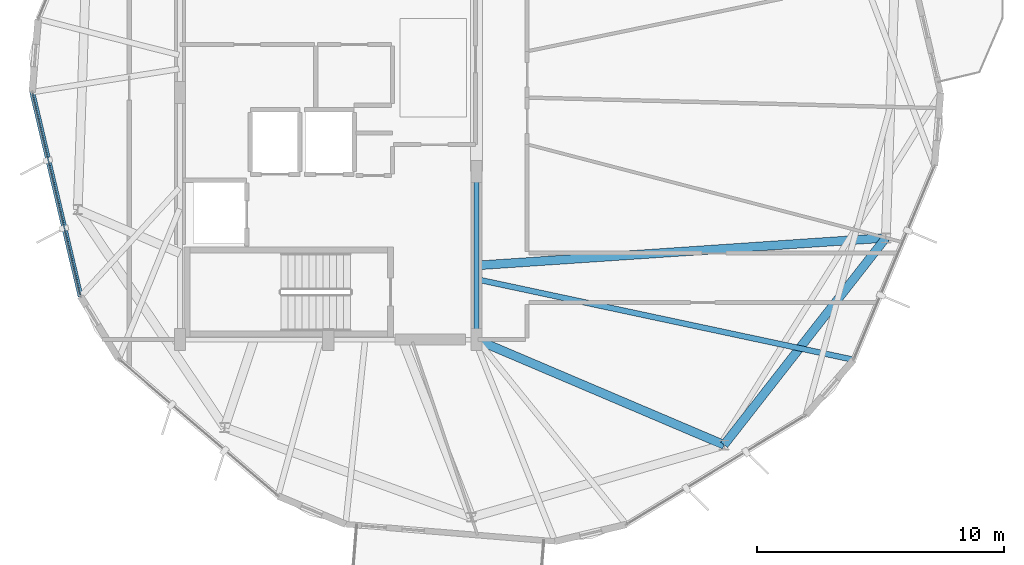
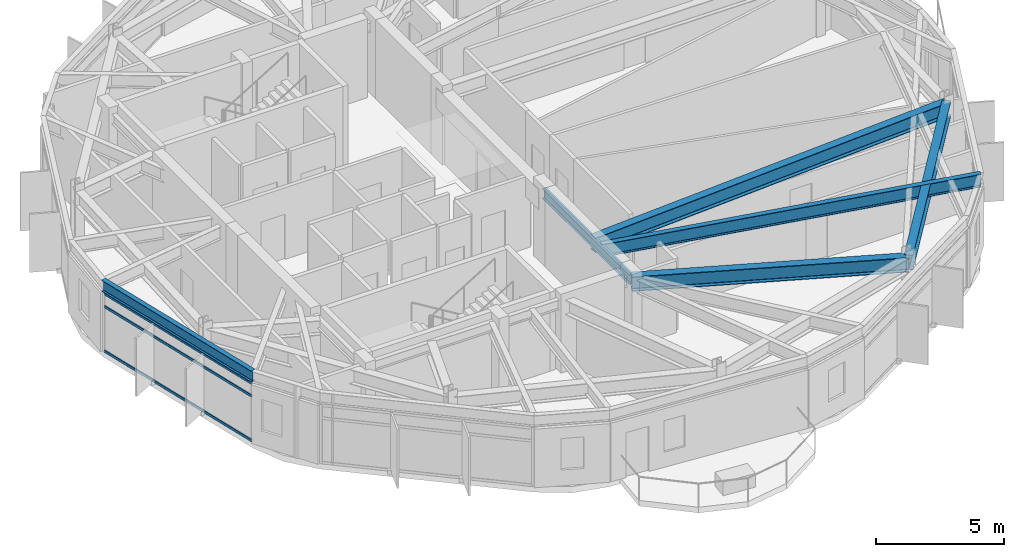
# One storey, part 6 of 23: 6 beams, 3 members, 1 element without a shape of its own.
"""IFC4 building model written with IfcOpenShell, lengths in metres."""

from ifc_helpers import new_model, si_unit, direction, frame, origin, origin_2d, place, context, subcontext, project, spatial, hollow_rectangle, i_section, extrude, material, layer, layer_set, material_profile, profile_set, type_object, element, aggregate, save


model = new_model("IFC4")

# Units and contexts
model_context = context("Model", 3, precision=1e-05, world=origin(), true_north=direction((0.0, 1.0)))
body_context = subcontext(model_context, "Body", "Model", "MODEL_VIEW")
ifc_project = project(units=[si_unit("LENGTHUNIT", "METRE"), si_unit("AREAUNIT", "SQUARE_METRE"), si_unit("VOLUMEUNIT", "CUBIC_METRE"), si_unit("PLANEANGLEUNIT", "RADIAN"), si_unit("MASSUNIT", "GRAM", prefix="KILO")], contexts=[model_context])

# Site, building, storey
site_placement = place(None, origin())
site = spatial("IfcSite", under=ifc_project, at=site_placement, CompositionType="ELEMENT")
building_placement = place(site_placement, origin())
building = spatial("IfcBuilding", under=site, at=building_placement, Name="Soratama Intermodal Tower", CompositionType="ELEMENT")
storey_placement = place(building_placement, frame((0.0, 0.0, 280.0)))
storey = spatial("IfcBuildingStorey", under=building, at=storey_placement, Name="L71", CompositionType="ELEMENT", Elevation=280.0)

# Beams
ifc_material_1 = material(Name="Structural steel ASTM A992 Grade 50", Category="steel")
ifc_material_profile_1 = material_profile(ifc_material_1, i_section(OverallWidth=0.19091796875, OverallDepth=0.4599609375, WebThickness=0.010009765625, FlangeThickness=0.01611328125, FilletRadius=0.010986328125, at=origin_2d()), Name="W18X55")
ifc_profile_set_1 = profile_set([ifc_material_profile_1], Name="Structural steel ASTM A992 Grade 50")
beam_type_1 = type_object("IfcBeamType", Name="BM-FLR-W18X55", PredefinedType="BEAM", material=ifc_profile_set_1)
beam_1_placement = place(storey_placement, frame((44.60009765625, 15.0, 3.179931640625), z_axis=(0.0, 1.0, 0.0), x_axis=(-1.0, 0.0, 0.0)))
element("IfcBeam", 1, at=beam_1_placement, inside=storey, type_object=beam_type_1, Name="BM-L71-CRING-03", PredefinedType="BEAM", context=body_context, shape_type="SweptSolid", body=[
    extrude(i_section(OverallWidth=0.19091796875, OverallDepth=0.4599609375, WebThickness=0.010009765625, FlangeThickness=0.01611328125, FilletRadius=0.010986328125, at=origin_2d()), origin(), (0.0, 0.0, 1.0), 6.800048828125),
])
ifc_material_2 = material(Name="Structural steel ASTM A992 Grade 50", Category="steel")
ifc_material_profile_2 = material_profile(ifc_material_2, i_section(OverallWidth=0.35498046875, OverallDepth=0.695068359375, WebThickness=0.015380859375, FlangeThickness=0.02490234375, FilletRadius=0.01611328125, at=origin_2d()), Name="W27X146")
ifc_profile_set_2 = profile_set([ifc_material_profile_2], Name="Structural steel ASTM A992 Grade 50")
beam_type_2 = type_object("IfcBeamType", Name="BM-RING-W27X146", PredefinedType="BEAM", material=ifc_profile_set_2)
beam_2_placement = place(storey_placement, frame((54.617919921875, 10.740966796875, 3.0625), z_axis=(0.6157278291, 0.787958907858, 0.0), x_axis=(-0.787958907858, 0.6157278291, 0.0)))
element("IfcBeam", 2, at=beam_2_placement, inside=storey, type_object=beam_type_2, Name="BM-L71-RING-09", PredefinedType="BEAM", context=body_context, shape_type="SweptSolid", body=[
    extrude(i_section(OverallWidth=0.35498046875, OverallDepth=0.695068359375, WebThickness=0.015380859375, FlangeThickness=0.02490234375, FilletRadius=0.01611328125, at=origin_2d()), origin(), (0.0, 0.0, 1.0), 10.6298828125),
])
beam_3_placement = place(storey_placement, frame((44.60009765625, 15.0, 3.0625), z_axis=(0.920282671955, -0.391254142087, 0.0), x_axis=(0.391254142087, 0.920282671955, 0.0)))
element("IfcBeam", 3, at=beam_3_placement, inside=storey, type_object=beam_type_2, Name="BM-L71-RAD-09", PredefinedType="BEAM", context=body_context, shape_type="SweptSolid", body=[
    extrude(i_section(OverallWidth=0.35498046875, OverallDepth=0.695068359375, WebThickness=0.015380859375, FlangeThickness=0.02490234375, FilletRadius=0.01611328125, at=origin_2d()), origin(), (0.0, 0.0, 1.0), 10.885498046875),
])
beam_4_placement = place(storey_placement, frame((44.60009765625, 18.0, 3.0625), z_axis=(0.997733912176, 0.067283285401, 0.0), x_axis=(-0.067283285401, 0.997733912176, 0.0)))
element("IfcBeam", 4, at=beam_4_placement, inside=storey, type_object=beam_type_2, Name="BM-L71-RAD-10", PredefinedType="BEAM", context=body_context, shape_type="SweptSolid", body=[
    extrude(i_section(OverallWidth=0.35498046875, OverallDepth=0.695068359375, WebThickness=0.015380859375, FlangeThickness=0.02490234375, FilletRadius=0.01611328125, at=origin_2d()), origin(), (0.0, 0.0, 1.0), 16.6005859375),
])
ifc_material_3 = material(Name="Structural steel ASTM A992 Grade 50", Category="steel")
ifc_material_profile_3 = material_profile(ifc_material_3, i_section(OverallWidth=0.2099609375, OverallDepth=0.537109375, WebThickness=0.010986328125, FlangeThickness=0.017333984375, FilletRadius=0.012939453125, at=origin_2d()), Name="W21X68")
ifc_profile_set_3 = profile_set([ifc_material_profile_3], Name="Structural steel ASTM A992 Grade 50")
beam_type_3 = type_object("IfcBeamType", Name="BM-SPN-W21X68", PredefinedType="SPANDREL", material=ifc_profile_set_3)
beam_5_placement = place(storey_placement, frame((26.6220703125, 25.01611328125, 3.1416015625), z_axis=(0.230364747515, -0.973104353655, 0.0), x_axis=(0.973104353655, 0.230364747515, 0.0)))
element("IfcBeam", 5, at=beam_5_placement, inside=storey, type_object=beam_type_3, Name="BS-L71-F04", PredefinedType="SPANDREL", context=body_context, shape_type="SweptSolid", body=[
    extrude(i_section(OverallWidth=0.2099609375, OverallDepth=0.537109375, WebThickness=0.010986328125, FlangeThickness=0.017333984375, FilletRadius=0.012939453125, at=origin_2d()), origin(), (0.0, 0.0, 1.0), 8.49951171875),
])
ifc_material_4 = material(Name="Structural steel ASTM A992 Grade 50", Category="steel")
ifc_material_profile_4 = material_profile(ifc_material_4, i_section(OverallWidth=0.22900390625, OverallDepth=0.612060546875, WebThickness=0.011962890625, FlangeThickness=0.01953125, FilletRadius=0.012939453125, at=origin_2d()), Name="W24X84")
ifc_profile_set_4 = profile_set([ifc_material_profile_4], Name="Structural steel ASTM A992 Grade 50")
beam_type_4 = type_object("IfcBeamType", Name="BM-TIE-W24X84", PredefinedType="BEAM", material=ifc_profile_set_4)
beam_6_placement = place(storey_placement, frame((44.638916015625, 17.43408203125, 3.10400390625), z_axis=(0.977952529346, -0.208827321837, 0.0), x_axis=(0.208827321837, 0.977952529346, 0.0)))
element("IfcBeam", 6, at=beam_6_placement, inside=storey, type_object=beam_type_4, Name="BM-L71-TIE0-08", PredefinedType="BEAM", context=body_context, shape_type="SweptSolid", body=[
    extrude(i_section(OverallWidth=0.22900390625, OverallDepth=0.612060546875, WebThickness=0.011962890625, FlangeThickness=0.01953125, FilletRadius=0.012939453125, at=origin_2d()), origin(), (0.0, 0.0, 1.0), 15.56298828125),
])

# Curtain wall, members
ifc_material_5 = material(Name="Double-glazed aluminium curtain wall", Category="aluminium")
ifc_layer = layer(ifc_material_5, 0.159912109375)
ifc_layer_set = layer_set([ifc_layer], Name="Double-glazed aluminium curtain wall")
curtain_wall_type = type_object("IfcCurtainWallType", Name="CW-SYS-5", PredefinedType="NOTDEFINED", material=ifc_layer_set)
curtain_wall_placement = place(storey_placement, origin())
curtain_wall = element("IfcCurtainWall", 7, at=curtain_wall_placement, inside=storey, type_object=curtain_wall_type, Name="L71 Faceted Curtain Wall F04", PredefinedType="NOTDEFINED")
ifc_material_6 = material(Name="Anodised aluminium AA 6063-T6", Category="aluminium")
ifc_material_profile_5 = material_profile(ifc_material_6, hollow_rectangle(XDim=0.06005859375, YDim=0.1298828125, WallThickness=0.0048828125, InnerFilletRadius=0.0048828125, OuterFilletRadius=0.010009765625, at=origin_2d()), Name="CWT130X60X5")
ifc_profile_set_5 = profile_set([ifc_material_profile_5], Name="Anodised aluminium AA 6063-T6")
member_type = type_object("IfcMemberType", Name="TT-CWT-2", PredefinedType="USERDEFINED", material=ifc_profile_set_5)
member_1_placement = place(storey_placement, frame((26.6357421875, 24.957763671875, 0.030029296875), z_axis=(0.230396689422, -0.973096791436, 0.0), x_axis=(0.973096791436, 0.230396689422, 0.0)))
member_1 = element("IfcMember", 8, at=member_1_placement, type_object=member_type, Name="CW-5 transom 1.1", ObjectType="TRANSOM", PredefinedType="USERDEFINED", context=body_context, shape_type="SweptSolid", body=[
    extrude(hollow_rectangle(XDim=0.06005859375, YDim=0.1298828125, WallThickness=0.0048828125, InnerFilletRadius=0.0048828125, OuterFilletRadius=0.010009765625, at=origin_2d()), origin(), (0.0, 0.0, 1.0), 8.379638671875),
])
member_2_placement = place(storey_placement, frame((26.6357421875, 24.957763671875, 2.14990234375), z_axis=(0.230396689422, -0.973096791436, 0.0), x_axis=(0.973096791436, 0.230396689422, 0.0)))
member_2 = element("IfcMember", 9, at=member_2_placement, type_object=member_type, Name="CW-5 transom 1.2", ObjectType="TRANSOM", PredefinedType="USERDEFINED", context=body_context, shape_type="SweptSolid", body=[
    extrude(hollow_rectangle(XDim=0.06005859375, YDim=0.1298828125, WallThickness=0.0048828125, InnerFilletRadius=0.0048828125, OuterFilletRadius=0.010009765625, at=origin_2d()), origin(), (0.0, 0.0, 1.0), 8.379638671875),
])
member_3_placement = place(storey_placement, frame((26.6357421875, 24.957763671875, 2.759033203125), z_axis=(0.230396689422, -0.973096791436, 0.0), x_axis=(0.973096791436, 0.230396689422, 0.0)))
member_3 = element("IfcMember", 10, at=member_3_placement, type_object=member_type, Name="CW-5 transom 1.3", ObjectType="TRANSOM", PredefinedType="USERDEFINED", context=body_context, shape_type="SweptSolid", body=[
    extrude(hollow_rectangle(XDim=0.06005859375, YDim=0.1298828125, WallThickness=0.0048828125, InnerFilletRadius=0.0048828125, OuterFilletRadius=0.010009765625, at=origin_2d()), origin(), (0.0, 0.0, 1.0), 8.379638671875),
])
aggregate(curtain_wall, [member_1, member_2, member_3])

save(model, "model.ifc")
